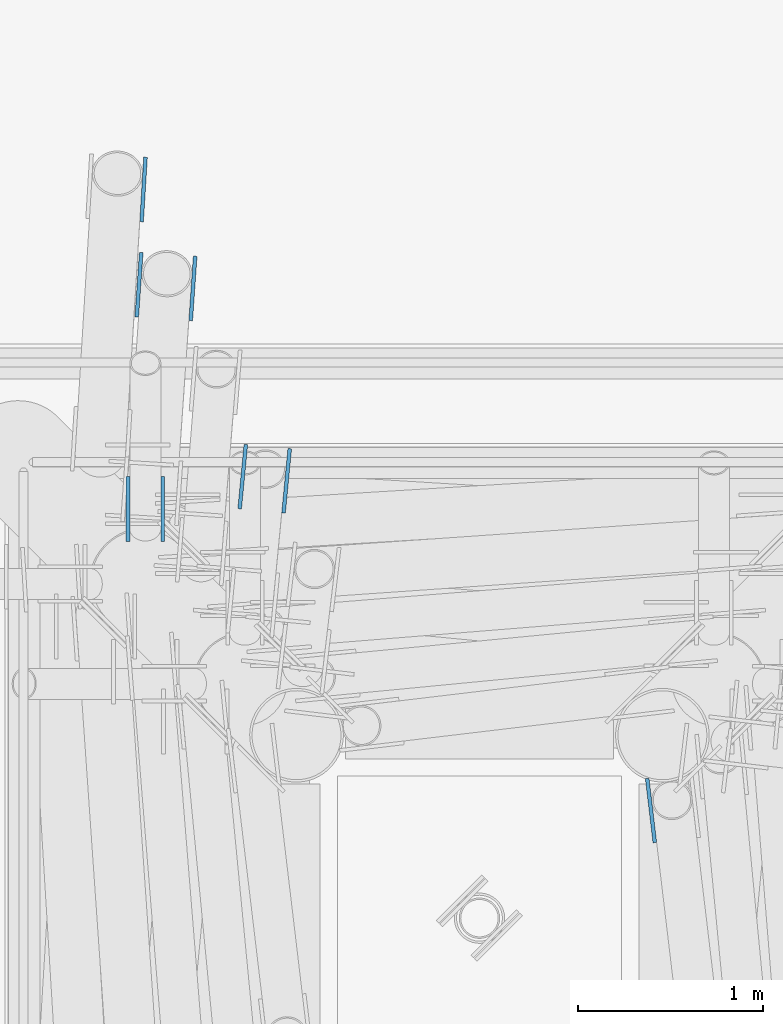
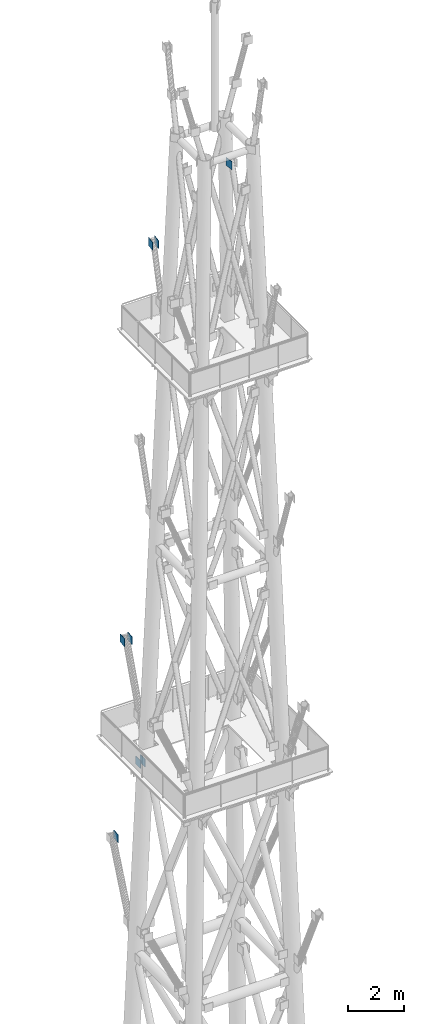
# One storey, part 18 of 25: 8 discrete accessories.
"""IFC4 building model written with IfcOpenShell, lengths in metres."""

from ifc_helpers import new_model, si_unit, direction, frame, origin, origin_2d, place, context, subcontext, project, spatial, rectangle, extrude, element, save


model = new_model("IFC4")

# Units and contexts
model_context = context("Model", 3, precision=1e-05, world=origin(), true_north=direction((0.0, 1.0)))
body_context = subcontext(model_context, "Body", "Model", "MODEL_VIEW")
ifc_project = project(units=[si_unit("LENGTHUNIT", "METRE"), si_unit("AREAUNIT", "SQUARE_METRE"), si_unit("VOLUMEUNIT", "CUBIC_METRE"), si_unit("PLANEANGLEUNIT", "RADIAN"), si_unit("MASSUNIT", "GRAM", prefix="KILO")], contexts=[model_context])

# Site, building, storey
site_placement = place(None, origin())
site = spatial("IfcSite", under=ifc_project, at=site_placement, CompositionType="ELEMENT")
building_placement = place(site_placement, origin())
building = spatial("IfcBuilding", under=site, at=building_placement, Name="Vidyagriha Tower", CompositionType="ELEMENT")
storey_placement = place(building_placement, frame((0.0, 0.0, 318.39990234375)))
storey = spatial("IfcBuildingStorey", under=building, at=storey_placement, Name="RF", CompositionType="ELEMENT", Elevation=318.39990234375)

# Discrete accessories
for number, where, z_axis, x_axis, name in (
    (1, (-1.819580078125, 16.947021484375, 17.6357421875), (0.0, 0.0, 1.0), (0.060794194772, 0.998150322287, 0.0), "End plate ASTM A572 Grade 50 20mm"),
    (2, (-1.84423828125, 16.431396484375, 26.552978515625), (0.0, 0.0, 1.0), (0.069251552292, 0.997599229403, 0.0), "End plate ASTM A572 Grade 50 20mm"),
    (3, (-1.552001953125, 16.4111328125, 26.552978515625), (0.0, 0.0, 1.0), (0.069251552292, 0.997599229403, 0.0), "End plate ASTM A572 Grade 50 20mm"),
    (4, (-1.2822265625, 15.3916015625, 44.381103515625), (0.0, 0.0, 1.0), (0.095661597706, 0.995413913266, 0.0), "End plate ASTM A572 Grade 50 20mm"),
    (5, (-1.04443359375, 15.368896484375, 44.381103515625), (0.0, 0.0, 1.0), (0.095661597706, 0.995413913266, 0.0), "End plate ASTM A572 Grade 50 20mm"),
    (6, (0.92919921875, 13.5830078125, 48.227783203125), (0.0, 0.0, 1.0), (-0.118149205805, 0.99299585355, 0.0), "End plate ASTM A572 Grade 50 20mm"),
    (7, (-1.716064453125, 15.216552734375, 21.96337890625), (0.0, 0.0, 1.0), (0.0, -1.0, 0.0), "End plate ASTM A572 Grade 50 20mm"),
    (8, (-1.904052734375, 15.216552734375, 21.96337890625), (0.0, 0.0, 1.0), (0.0, -1.0, 0.0), "End plate ASTM A572 Grade 50 20mm"),
):
    element("IfcDiscreteAccessory", number, at=place(storey_placement, frame(where, z_axis=z_axis, x_axis=x_axis)), inside=storey, Name=name, ObjectType="END PLATE", PredefinedType="USERDEFINED", context=body_context, shape_type="SweptSolid", body=[
        extrude(rectangle(XDim=0.35009765625, YDim=0.02001953125, at=origin_2d()), origin(), (0.0, 0.0, 1.0), 0.35009765625),
    ])

save(model, "model.ifc")
